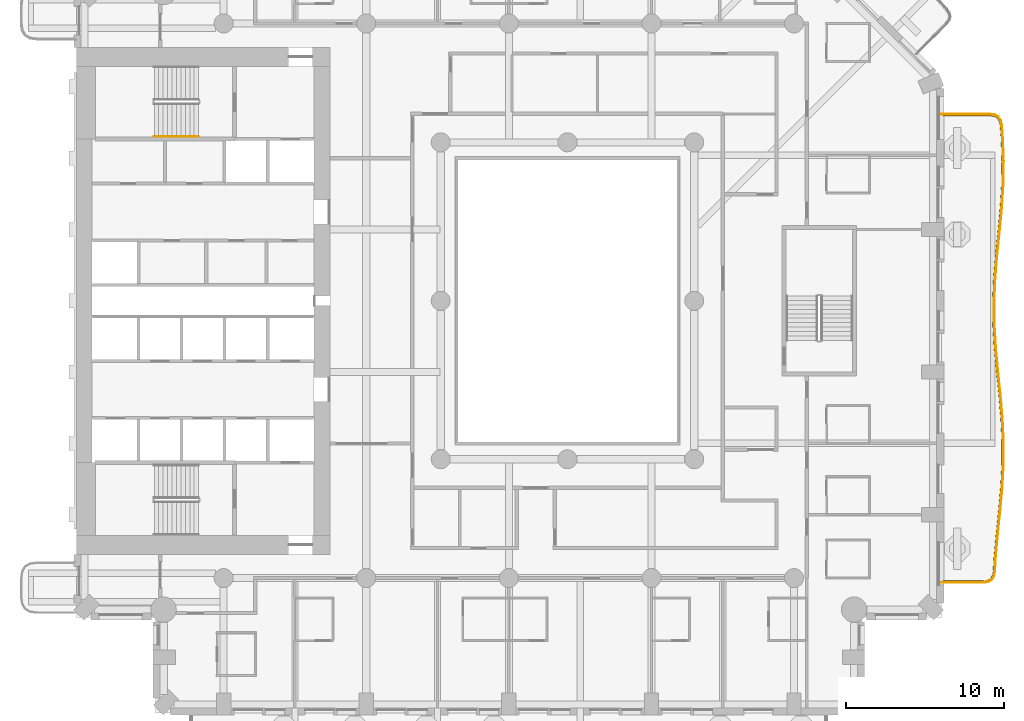
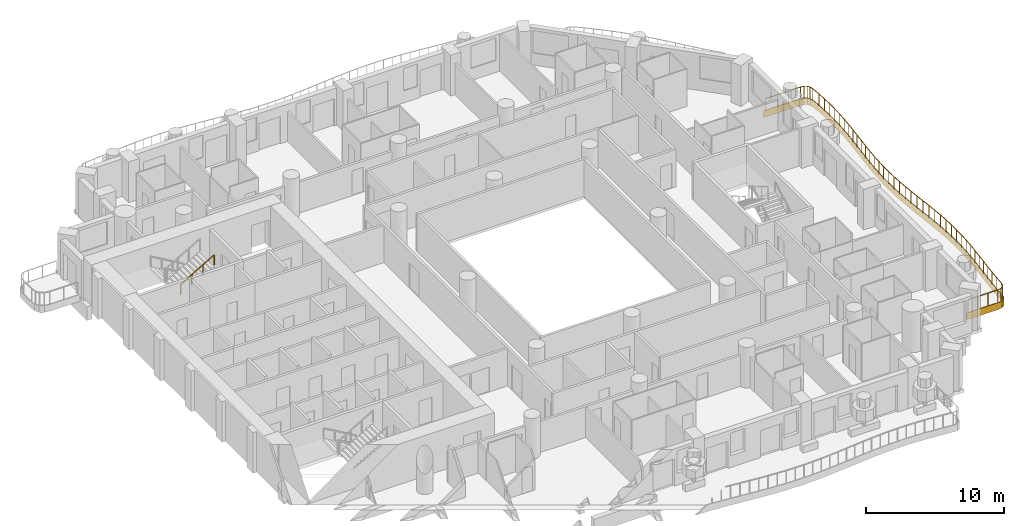
# One storey, part 16 of 20: 2 railings, 1 covering.
"""IFC4 building model written with IfcOpenShell, lengths in metres."""

from ifc_helpers import new_model, si_unit, direction, frame, origin, origin_2d, place, context, subcontext, project, spatial, polyline, rectangle, outline, extrude, material, layer, layer_set, type_object, element, save


model = new_model("IFC4")

# Units and contexts
model_context = context("Model", 3, precision=1e-05, world=origin(), true_north=direction((0.0, 1.0)))
body_context = subcontext(model_context, "Body", "Model", "MODEL_VIEW")
ifc_project = project(units=[si_unit("LENGTHUNIT", "METRE"), si_unit("AREAUNIT", "SQUARE_METRE"), si_unit("VOLUMEUNIT", "CUBIC_METRE"), si_unit("PLANEANGLEUNIT", "RADIAN"), si_unit("MASSUNIT", "GRAM", prefix="KILO")], contexts=[model_context])

# Site, building, storey
site_placement = place(None, origin())
site = spatial("IfcSite", under=ifc_project, at=site_placement, CompositionType="ELEMENT")
building_placement = place(site_placement, origin())
building = spatial("IfcBuilding", under=site, at=building_placement, Name="Cypress Arch Tower", CompositionType="ELEMENT")
storey_placement = place(building_placement, frame((0.0, 0.0, 87.89990234375)))
storey = spatial("IfcBuildingStorey", under=building, at=storey_placement, Name="L16", CompositionType="ELEMENT", Elevation=87.89990234375)

# Covering
ifc_material_1 = material(Name="White powder-coated aluminium fascia", Category="aluminium")
ifc_layer = layer(ifc_material_1, 0.050048828125)
ifc_layer_set = layer_set([ifc_layer], Name="Balcony fascia BF50")
covering_type = type_object("IfcCoveringType", Name="Balcony fascia BF50", PredefinedType="CLADDING", material=ifc_layer_set)
covering_placement = place(storey_placement, frame((0.0, 0.0, -0.599853515625)))
element("IfcCovering", 1, at=covering_placement, inside=storey, type_object=covering_type, Name="Balcony fascia L16-A06", PredefinedType="CLADDING", context=body_context, shape_type="SweptSolid", body=[
    extrude(outline(polyline([(27.66455078125, 11.800048828125), (27.971923828125, 11.756591796875), (28.208251953125, 11.621826171875), (28.361572265625, 11.39697265625), (28.42919921875, 11.09375), (28.494140625, 10.27783203125), (28.54833984375, 8.800537109375), (28.525146484375, 7.322998046875), (28.430419921875, 5.845947265625), (28.288818359375, 4.3701171875), (28.137451171875, 2.895263671875), (28.01513671875, 1.421875), (27.95361328125, -0.05078125), (27.968994140625, -1.523193359375), (28.05712890625, -2.99609375), (28.195068359375, -4.47021484375), (28.347412109375, -5.9453125), (28.474609375, -7.421630859375), (28.54345703125, -8.89892578125), (28.5361328125, -10.37646484375), (28.45458984375, -11.853759765625), (28.31982421875, -13.329833984375), (28.1669921875, -14.8046875), (28.035888671875, -16.278564453125), (27.994140625, -17.09228515625), (27.93505859375, -17.395751953125), (27.7880859375, -17.621337890625), (27.55517578125, -17.756591796875), (27.2490234375, -17.800048828125), (24.60107421875, -17.800048828125), (24.60107421875, -17.75), (27.24560546875, -17.75), (27.53857421875, -17.70849609375), (27.752685546875, -17.583984375), (27.887939453125, -17.376708984375), (27.9443359375, -17.086181640625), (27.986083984375, -16.27490234375), (28.1171875, -14.800048828125), (28.27001953125, -13.324951171875), (28.404541015625, -11.85009765625), (28.486083984375, -10.375), (28.493408203125, -8.89990234375), (28.4248046875, -7.425048828125), (28.297607421875, -5.949951171875), (28.145263671875, -4.47509765625), (28.007080078125, -3.0), (27.9189453125, -1.52490234375), (27.90380859375, -0.050048828125), (27.96533203125, 1.425048828125), (28.087646484375, 2.89990234375), (28.2392578125, 4.375), (28.380615234375, 5.85009765625), (28.47509765625, 7.324951171875), (28.498291015625, 8.800048828125), (28.4443359375, 10.27490234375), (28.379638671875, 11.086181640625), (28.31494140625, 11.376708984375), (28.173583984375, 11.583984375), (27.95556640625, 11.70849609375), (27.660888671875, 11.75), (24.60107421875, 11.75), (24.60107421875, 11.800048828125), (27.66455078125, 11.800048828125)])), origin(), (0.0, 0.0, 1.0), 0.599853515625),
])

# Railings
ifc_material_2 = material(Name="Powder-coated steel posts and rods, 100 mm clear between rods", Category="steel")
railing_type_1 = type_object("IfcRailingType", Name="Balcony guard GR1100", PredefinedType="GUARDRAIL", material=ifc_material_2)
railing_1_placement = place(storey_placement, frame((24.75, 11.699951171875, 0.0)))
element("IfcRailing", 2, at=railing_1_placement, inside=storey, type_object=railing_type_1, Name="Balcony guard L16-A06", PredefinedType="GUARDRAIL", context=body_context, shape_type="SweptSolid", body=[
    extrude(rectangle(XDim=0.050048828125, YDim=0.050048828125, at=origin_2d()), frame((0.0, 0.0, 1.0751953125), z_axis=(1.0, 0.0, 0.0), x_axis=(0.0, 1.0, 0.0)), (0.0, 0.0, 1.0), 2.907470703125),
    extrude(rectangle(XDim=0.050048828125, YDim=0.050048828125, at=origin_2d()), frame((2.907470703125, 0.0, 1.0751953125), z_axis=(0.990273226818, -0.139136394401, 0.0), x_axis=(0.139136394401, 0.990273226818, 0.0)), (0.0, 0.0, 1.0), 0.2841796875),
    extrude(rectangle(XDim=0.050048828125, YDim=0.050048828125, at=origin_2d()), frame((3.18896484375, -0.03955078125, 1.0751953125), z_axis=(0.868439073413, -0.495795901325, 0.0), x_axis=(0.495795901325, 0.868439073413, 0.0)), (0.0, 0.0, 1.0), 0.22998046875),
    extrude(rectangle(XDim=0.050048828125, YDim=0.050048828125, at=origin_2d()), frame((3.388671875, -0.153564453125, 1.0751953125), z_axis=(0.563007159099, -0.826452018452, 0.0), x_axis=(0.826452018452, 0.563007159099, 0.0)), (0.0, 0.0, 1.0), 0.229736328125),
    extrude(rectangle(XDim=0.050048828125, YDim=0.050048828125, at=origin_2d()), frame((3.51806640625, -0.343505859375, 1.0751953125), z_axis=(0.218020932008, -0.975944093279, 0.0), x_axis=(0.975944093279, 0.218020932008, 0.0)), (0.0, 0.0, 1.0), 0.284423828125),
    extrude(rectangle(XDim=0.050048828125, YDim=0.050048828125, at=origin_2d()), frame((3.580078125, -0.62109375, 1.0751953125), z_axis=(0.07934949262, -0.996846857858, 0.0), x_axis=(0.996846857858, 0.07934949262, 0.0)), (0.0, 0.0, 1.0), 0.80908203125),
    extrude(rectangle(XDim=0.050048828125, YDim=0.050048828125, at=origin_2d()), frame((3.644287109375, -1.427734375, 1.0751953125), z_axis=(0.03661336552, -0.999329505952, 0.0), x_axis=(0.999329505952, 0.03661336552, 0.0)), (0.0, 0.0, 1.0), 1.4736328125),
    extrude(rectangle(XDim=0.050048828125, YDim=0.050048828125, at=origin_2d()), frame((3.6982421875, -2.900390625, 1.0751953125), z_axis=(-0.015747383988, -0.999876002261, 0.0), x_axis=(0.999876002261, -0.015747383988, 0.0)), (0.0, 0.0, 1.0), 1.472900390625),
    extrude(rectangle(XDim=0.050048828125, YDim=0.050048828125, at=origin_2d()), frame((3.675048828125, -4.373046875, 1.0751953125), z_axis=(-0.063850878169, -0.997959450758, 0.0), x_axis=(0.997959450758, -0.063850878169, 0.0)), (0.0, 0.0, 1.0), 1.475830078125),
    extrude(rectangle(XDim=0.050048828125, YDim=0.050048828125, at=origin_2d()), frame((3.580810546875, -5.845947265625, 1.0751953125), z_axis=(-0.095454811114, -0.995433764263, 0.0), x_axis=(0.995433764263, -0.095454811114, 0.0)), (0.0, 0.0, 1.0), 1.48095703125),
    extrude(rectangle(XDim=0.050048828125, YDim=0.050048828125, at=origin_2d()), frame((3.439453125, -7.320068359375, 1.0751953125), z_axis=(-0.102225179142, -0.994761284304, 0.0), x_axis=(0.994761284304, -0.102225179142, 0.0)), (0.0, 0.0, 1.0), 1.483154296875),
    extrude(rectangle(XDim=0.050048828125, YDim=0.050048828125, at=origin_2d()), frame((3.287841796875, -8.79541015625, 1.0751953125), z_axis=(-0.0827317792, -0.99657185025, 0.0), x_axis=(0.99657185025, -0.0827317792, 0.0)), (0.0, 0.0, 1.0), 1.4814453125),
    extrude(rectangle(XDim=0.050048828125, YDim=0.050048828125, at=origin_2d()), frame((3.165283203125, -10.271728515625, 1.0751953125), z_axis=(-0.041603077121, -0.999134217197, 0.0), x_axis=(0.999134217197, -0.041603077121, 0.0)), (0.0, 0.0, 1.0), 1.478759765625),
    extrude(rectangle(XDim=0.050048828125, YDim=0.050048828125, at=origin_2d()), frame((3.103759765625, -11.749267578125, 1.0751953125), z_axis=(0.010244009713, -0.999947528756, 0.0), x_axis=(0.999947528756, 0.010244009713, 0.0)), (0.0, 0.0, 1.0), 1.4775390625),
    extrude(rectangle(XDim=0.050048828125, YDim=0.050048828125, at=origin_2d()), frame((3.118896484375, -13.226806640625, 1.0751953125), z_axis=(0.059727887599, -0.998214696066, 0.0), x_axis=(0.998214696066, 0.059727887599, 0.0)), (0.0, 0.0, 1.0), 1.479736328125),
    extrude(rectangle(XDim=0.050048828125, YDim=0.050048828125, at=origin_2d()), frame((3.207275390625, -14.703857421875, 1.0751953125), z_axis=(0.093208072267, -0.995646651812, 0.0), x_axis=(0.995646651812, 0.093208072267, 0.0)), (0.0, 0.0, 1.0), 1.482421875),
    extrude(rectangle(XDim=0.050048828125, YDim=0.050048828125, at=origin_2d()), frame((3.345458984375, -16.179931640625, 1.0751953125), z_axis=(0.102747469518, -0.994707473335, 0.0), x_axis=(0.994707473335, 0.102747469518, 0.0)), (0.0, 0.0, 1.0), 1.482666015625),
    extrude(rectangle(XDim=0.050048828125, YDim=0.050048828125, at=origin_2d()), frame((3.497802734375, -17.65478515625, 1.0751953125), z_axis=(0.085845961757, -0.996308421549, 0.0), x_axis=(0.996308421549, 0.085845961757, 0.0)), (0.0, 0.0, 1.0), 1.478759765625),
    extrude(rectangle(XDim=0.050048828125, YDim=0.050048828125, at=origin_2d()), frame((3.624755859375, -19.128173828125, 1.0751953125), z_axis=(0.046526718032, -0.99891704586, 0.0), x_axis=(0.99891704586, 0.046526718032, 0.0)), (0.0, 0.0, 1.0), 1.474609375),
    extrude(rectangle(XDim=0.050048828125, YDim=0.050048828125, at=origin_2d()), frame((3.693359375, -20.60107421875, 1.0751953125), z_axis=(-0.004974237913, -0.999987628402, 0.0), x_axis=(0.999987628402, -0.004974237913, 0.0)), (0.0, 0.0, 1.0), 1.472412109375),
    extrude(rectangle(XDim=0.050048828125, YDim=0.050048828125, at=origin_2d()), frame((3.68603515625, -22.073486328125, 1.0751953125), z_axis=(-0.05511252939, -0.998480149579, 0.0), x_axis=(0.998480149579, -0.05511252939, 0.0)), (0.0, 0.0, 1.0), 1.47509765625),
    extrude(rectangle(XDim=0.050048828125, YDim=0.050048828125, at=origin_2d()), frame((3.604736328125, -23.54638671875, 1.0751953125), z_axis=(-0.090907635833, -0.995859328293, 0.0), x_axis=(0.995859328293, -0.090907635833, 0.0)), (0.0, 0.0, 1.0), 1.479736328125),
    extrude(rectangle(XDim=0.050048828125, YDim=0.050048828125, at=origin_2d()), frame((3.47021484375, -25.02001953125, 1.0751953125), z_axis=(-0.102893534307, -0.994692374857, 0.0), x_axis=(0.994692374857, -0.102893534307, 0.0)), (0.0, 0.0, 1.0), 1.48291015625),
    extrude(rectangle(XDim=0.050048828125, YDim=0.050048828125, at=origin_2d()), frame((3.317626953125, -26.4951171875, 1.0751953125), z_axis=(-0.088783112182, -0.996050982125, 0.0), x_axis=(0.996050982125, -0.088783112182, 0.0)), (0.0, 0.0, 1.0), 1.482177734375),
    extrude(rectangle(XDim=0.050048828125, YDim=0.050048828125, at=origin_2d()), frame((3.18603515625, -27.971435546875, 1.0751953125), z_axis=(-0.051261020303, -0.998685289667, 0.0), x_axis=(0.998685289667, -0.051261020303, 0.0)), (0.0, 0.0, 1.0), 0.8095703125),
    extrude(rectangle(XDim=0.050048828125, YDim=0.050048828125, at=origin_2d()), frame((3.14453125, -28.780029296875, 1.0751953125), z_axis=(-0.190962169659, -0.981597396981, 0.0), x_axis=(0.981597396981, -0.190962169659, 0.0)), (0.0, 0.0, 1.0), 0.282470703125),
    extrude(rectangle(XDim=0.050048828125, YDim=0.050048828125, at=origin_2d()), frame((3.090576171875, -29.057373046875, 1.0751953125), z_axis=(-0.545443842793, -0.838147370311, 0.0), x_axis=(0.838147370311, -0.545443842793, 0.0)), (0.0, 0.0, 1.0), 0.22607421875),
    extrude(rectangle(XDim=0.050048828125, YDim=0.050048828125, at=origin_2d()), frame((2.96728515625, -29.246826171875, 1.0751953125), z_axis=(-0.864834315404, -0.502057374111, 0.0), x_axis=(0.502057374111, -0.864834315404, 0.0)), (0.0, 0.0, 1.0), 0.22607421875),
    extrude(rectangle(XDim=0.050048828125, YDim=0.050048828125, at=origin_2d()), frame((2.771728515625, -29.3603515625, 1.0751953125), z_axis=(-0.990138842943, -0.14008951315, 0.0), x_axis=(0.14008951315, -0.990138842943, 0.0)), (0.0, 0.0, 1.0), 0.2822265625),
    extrude(rectangle(XDim=0.050048828125, YDim=0.050048828125, at=origin_2d()), frame((2.4921875, -29.39990234375, 1.0751953125), z_axis=(-1.0, 0.0, 0.0), x_axis=(0.0, -1.0, 0.0)), (0.0, 0.0, 1.0), 2.4921875),
    extrude(rectangle(XDim=0.0400390625, YDim=0.0400390625, at=origin_2d()), origin(), (0.0, 0.0, 1.0), 1.050048828125),
    extrude(rectangle(XDim=0.0400390625, YDim=0.0400390625, at=origin_2d()), frame((0.96923828125, 0.0, 0.0)), (0.0, 0.0, 1.0), 1.050048828125),
    extrude(rectangle(XDim=0.0400390625, YDim=0.0400390625, at=origin_2d()), frame((1.938232421875, 0.0, 0.0)), (0.0, 0.0, 1.0), 1.050048828125),
    extrude(rectangle(XDim=0.0400390625, YDim=0.0400390625, at=origin_2d()), frame((2.907470703125, 0.0, 0.0)), (0.0, 0.0, 1.0), 1.050048828125),
    extrude(rectangle(XDim=0.0400390625, YDim=0.0400390625, at=origin_2d()), frame((3.18896484375, -0.03955078125, 0.0)), (0.0, 0.0, 1.0), 1.050048828125),
    extrude(rectangle(XDim=0.0400390625, YDim=0.0400390625, at=origin_2d()), frame((3.388671875, -0.153564453125, 0.0)), (0.0, 0.0, 1.0), 1.050048828125),
    extrude(rectangle(XDim=0.0400390625, YDim=0.0400390625, at=origin_2d()), frame((3.51806640625, -0.343505859375, 0.0)), (0.0, 0.0, 1.0), 1.050048828125),
    extrude(rectangle(XDim=0.0400390625, YDim=0.0400390625, at=origin_2d()), frame((3.580078125, -0.62109375, 0.0)), (0.0, 0.0, 1.0), 1.050048828125),
    extrude(rectangle(XDim=0.0400390625, YDim=0.0400390625, at=origin_2d()), frame((3.644287109375, -1.427734375, 0.0)), (0.0, 0.0, 1.0), 1.050048828125),
    extrude(rectangle(XDim=0.0400390625, YDim=0.0400390625, at=origin_2d()), frame((3.67138671875, -2.1640625, 0.0)), (0.0, 0.0, 1.0), 1.050048828125),
    extrude(rectangle(XDim=0.0400390625, YDim=0.0400390625, at=origin_2d()), frame((3.6982421875, -2.900390625, 0.0)), (0.0, 0.0, 1.0), 1.050048828125),
    extrude(rectangle(XDim=0.0400390625, YDim=0.0400390625, at=origin_2d()), frame((3.6865234375, -3.63671875, 0.0)), (0.0, 0.0, 1.0), 1.050048828125),
    extrude(rectangle(XDim=0.0400390625, YDim=0.0400390625, at=origin_2d()), frame((3.675048828125, -4.373046875, 0.0)), (0.0, 0.0, 1.0), 1.050048828125),
    extrude(rectangle(XDim=0.0400390625, YDim=0.0400390625, at=origin_2d()), frame((3.6279296875, -5.109375, 0.0)), (0.0, 0.0, 1.0), 1.050048828125),
    extrude(rectangle(XDim=0.0400390625, YDim=0.0400390625, at=origin_2d()), frame((3.580810546875, -5.845947265625, 0.0)), (0.0, 0.0, 1.0), 1.050048828125),
    extrude(rectangle(XDim=0.0400390625, YDim=0.0400390625, at=origin_2d()), frame((3.51025390625, -6.5830078125, 0.0)), (0.0, 0.0, 1.0), 1.050048828125),
    extrude(rectangle(XDim=0.0400390625, YDim=0.0400390625, at=origin_2d()), frame((3.439453125, -7.320068359375, 0.0)), (0.0, 0.0, 1.0), 1.050048828125),
    extrude(rectangle(XDim=0.0400390625, YDim=0.0400390625, at=origin_2d()), frame((3.36376953125, -8.0576171875, 0.0)), (0.0, 0.0, 1.0), 1.050048828125),
    extrude(rectangle(XDim=0.0400390625, YDim=0.0400390625, at=origin_2d()), frame((3.287841796875, -8.79541015625, 0.0)), (0.0, 0.0, 1.0), 1.050048828125),
    extrude(rectangle(XDim=0.0400390625, YDim=0.0400390625, at=origin_2d()), frame((3.2265625, -9.53369140625, 0.0)), (0.0, 0.0, 1.0), 1.050048828125),
    extrude(rectangle(XDim=0.0400390625, YDim=0.0400390625, at=origin_2d()), frame((3.165283203125, -10.271728515625, 0.0)), (0.0, 0.0, 1.0), 1.050048828125),
    extrude(rectangle(XDim=0.0400390625, YDim=0.0400390625, at=origin_2d()), frame((3.134521484375, -11.010498046875, 0.0)), (0.0, 0.0, 1.0), 1.050048828125),
    extrude(rectangle(XDim=0.0400390625, YDim=0.0400390625, at=origin_2d()), frame((3.103759765625, -11.749267578125, 0.0)), (0.0, 0.0, 1.0), 1.050048828125),
    extrude(rectangle(XDim=0.0400390625, YDim=0.0400390625, at=origin_2d()), frame((3.111328125, -12.488037109375, 0.0)), (0.0, 0.0, 1.0), 1.050048828125),
    extrude(rectangle(XDim=0.0400390625, YDim=0.0400390625, at=origin_2d()), frame((3.118896484375, -13.226806640625, 0.0)), (0.0, 0.0, 1.0), 1.050048828125),
    extrude(rectangle(XDim=0.0400390625, YDim=0.0400390625, at=origin_2d()), frame((3.1630859375, -13.96533203125, 0.0)), (0.0, 0.0, 1.0), 1.050048828125),
    extrude(rectangle(XDim=0.0400390625, YDim=0.0400390625, at=origin_2d()), frame((3.207275390625, -14.703857421875, 0.0)), (0.0, 0.0, 1.0), 1.050048828125),
    extrude(rectangle(XDim=0.0400390625, YDim=0.0400390625, at=origin_2d()), frame((3.2763671875, -15.44189453125, 0.0)), (0.0, 0.0, 1.0), 1.050048828125),
    extrude(rectangle(XDim=0.0400390625, YDim=0.0400390625, at=origin_2d()), frame((3.345458984375, -16.179931640625, 0.0)), (0.0, 0.0, 1.0), 1.050048828125),
    extrude(rectangle(XDim=0.0400390625, YDim=0.0400390625, at=origin_2d()), frame((3.421630859375, -16.91748046875, 0.0)), (0.0, 0.0, 1.0), 1.050048828125),
    extrude(rectangle(XDim=0.0400390625, YDim=0.0400390625, at=origin_2d()), frame((3.497802734375, -17.65478515625, 0.0)), (0.0, 0.0, 1.0), 1.050048828125),
    extrude(rectangle(XDim=0.0400390625, YDim=0.0400390625, at=origin_2d()), frame((3.561279296875, -18.3916015625, 0.0)), (0.0, 0.0, 1.0), 1.050048828125),
    extrude(rectangle(XDim=0.0400390625, YDim=0.0400390625, at=origin_2d()), frame((3.624755859375, -19.128173828125, 0.0)), (0.0, 0.0, 1.0), 1.050048828125),
    extrude(rectangle(XDim=0.0400390625, YDim=0.0400390625, at=origin_2d()), frame((3.6591796875, -19.86474609375, 0.0)), (0.0, 0.0, 1.0), 1.050048828125),
    extrude(rectangle(XDim=0.0400390625, YDim=0.0400390625, at=origin_2d()), frame((3.693359375, -20.60107421875, 0.0)), (0.0, 0.0, 1.0), 1.050048828125),
    extrude(rectangle(XDim=0.0400390625, YDim=0.0400390625, at=origin_2d()), frame((3.689697265625, -21.33740234375, 0.0)), (0.0, 0.0, 1.0), 1.050048828125),
    extrude(rectangle(XDim=0.0400390625, YDim=0.0400390625, at=origin_2d()), frame((3.68603515625, -22.073486328125, 0.0)), (0.0, 0.0, 1.0), 1.050048828125),
    extrude(rectangle(XDim=0.0400390625, YDim=0.0400390625, at=origin_2d()), frame((3.6455078125, -22.81005859375, 0.0)), (0.0, 0.0, 1.0), 1.050048828125),
    extrude(rectangle(XDim=0.0400390625, YDim=0.0400390625, at=origin_2d()), frame((3.604736328125, -23.54638671875, 0.0)), (0.0, 0.0, 1.0), 1.050048828125),
    extrude(rectangle(XDim=0.0400390625, YDim=0.0400390625, at=origin_2d()), frame((3.53759765625, -24.283203125, 0.0)), (0.0, 0.0, 1.0), 1.050048828125),
    extrude(rectangle(XDim=0.0400390625, YDim=0.0400390625, at=origin_2d()), frame((3.47021484375, -25.02001953125, 0.0)), (0.0, 0.0, 1.0), 1.050048828125),
    extrude(rectangle(XDim=0.0400390625, YDim=0.0400390625, at=origin_2d()), frame((3.39404296875, -25.757568359375, 0.0)), (0.0, 0.0, 1.0), 1.050048828125),
    extrude(rectangle(XDim=0.0400390625, YDim=0.0400390625, at=origin_2d()), frame((3.317626953125, -26.4951171875, 0.0)), (0.0, 0.0, 1.0), 1.050048828125),
    extrude(rectangle(XDim=0.0400390625, YDim=0.0400390625, at=origin_2d()), frame((3.251953125, -27.2333984375, 0.0)), (0.0, 0.0, 1.0), 1.050048828125),
    extrude(rectangle(XDim=0.0400390625, YDim=0.0400390625, at=origin_2d()), frame((3.18603515625, -27.971435546875, 0.0)), (0.0, 0.0, 1.0), 1.050048828125),
    extrude(rectangle(XDim=0.0400390625, YDim=0.0400390625, at=origin_2d()), frame((3.14453125, -28.780029296875, 0.0)), (0.0, 0.0, 1.0), 1.050048828125),
    extrude(rectangle(XDim=0.0400390625, YDim=0.0400390625, at=origin_2d()), frame((3.090576171875, -29.057373046875, 0.0)), (0.0, 0.0, 1.0), 1.050048828125),
    extrude(rectangle(XDim=0.0400390625, YDim=0.0400390625, at=origin_2d()), frame((2.96728515625, -29.246826171875, 0.0)), (0.0, 0.0, 1.0), 1.050048828125),
    extrude(rectangle(XDim=0.0400390625, YDim=0.0400390625, at=origin_2d()), frame((2.771728515625, -29.3603515625, 0.0)), (0.0, 0.0, 1.0), 1.050048828125),
    extrude(rectangle(XDim=0.0400390625, YDim=0.0400390625, at=origin_2d()), frame((2.4921875, -29.39990234375, 0.0)), (0.0, 0.0, 1.0), 1.050048828125),
    extrude(rectangle(XDim=0.0400390625, YDim=0.0400390625, at=origin_2d()), frame((1.661376953125, -29.39990234375, 0.0)), (0.0, 0.0, 1.0), 1.050048828125),
    extrude(rectangle(XDim=0.0400390625, YDim=0.0400390625, at=origin_2d()), frame((0.830810546875, -29.39990234375, 0.0)), (0.0, 0.0, 1.0), 1.050048828125),
    extrude(rectangle(XDim=0.0400390625, YDim=0.0400390625, at=origin_2d()), frame((0.0, -29.39990234375, 0.0)), (0.0, 0.0, 1.0), 1.050048828125),
])
ifc_material_3 = material(Name="Black powder-coated steel square bar 48 mm", Category="steel")
railing_type_2 = type_object("IfcRailingType", Name="Stair handrail HR1", PredefinedType="HANDRAIL", material=ifc_material_3)
railing_2_placement = place(storey_placement, frame((-25.074951171875, 10.375, 1.963623046875)))
element("IfcRailing", 3, at=railing_2_placement, inside=storey, type_object=railing_type_2, Name="L16 B stair handrail 2", PredefinedType="HANDRAIL", context=body_context, shape_type="SweptSolid", body=[
    extrude(rectangle(XDim=0.048095703125, YDim=0.048095703125, at=origin_2d()), frame((0.0, 0.0, 0.8759765625), z_axis=(0.863360870873, 0.0, 0.504586966384), x_axis=(0.0, 1.0, 0.0)), (0.0, 0.0, 1.0), 3.2431640625),
    extrude(rectangle(XDim=0.0419921875, YDim=0.0419921875, at=origin_2d()), origin(), (0.0, 0.0, 1.0), 0.851806640625),
    extrude(rectangle(XDim=0.0419921875, YDim=0.0419921875, at=origin_2d()), frame((0.933349609375, 0.0, 0.54541015625)), (0.0, 0.0, 1.0), 0.851806640625),
    extrude(rectangle(XDim=0.0419921875, YDim=0.0419921875, at=origin_2d()), frame((1.86669921875, 0.0, 1.091064453125)), (0.0, 0.0, 1.0), 0.851806640625),
    extrude(rectangle(XDim=0.0419921875, YDim=0.0419921875, at=origin_2d()), frame((2.800048828125, 0.0, 1.636474609375)), (0.0, 0.0, 1.0), 0.851806640625),
])

save(model, "model.ifc")
